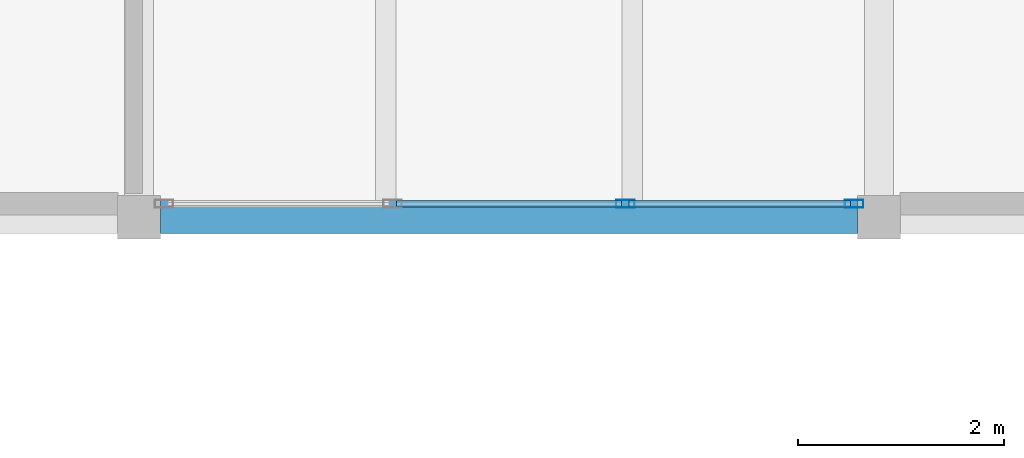
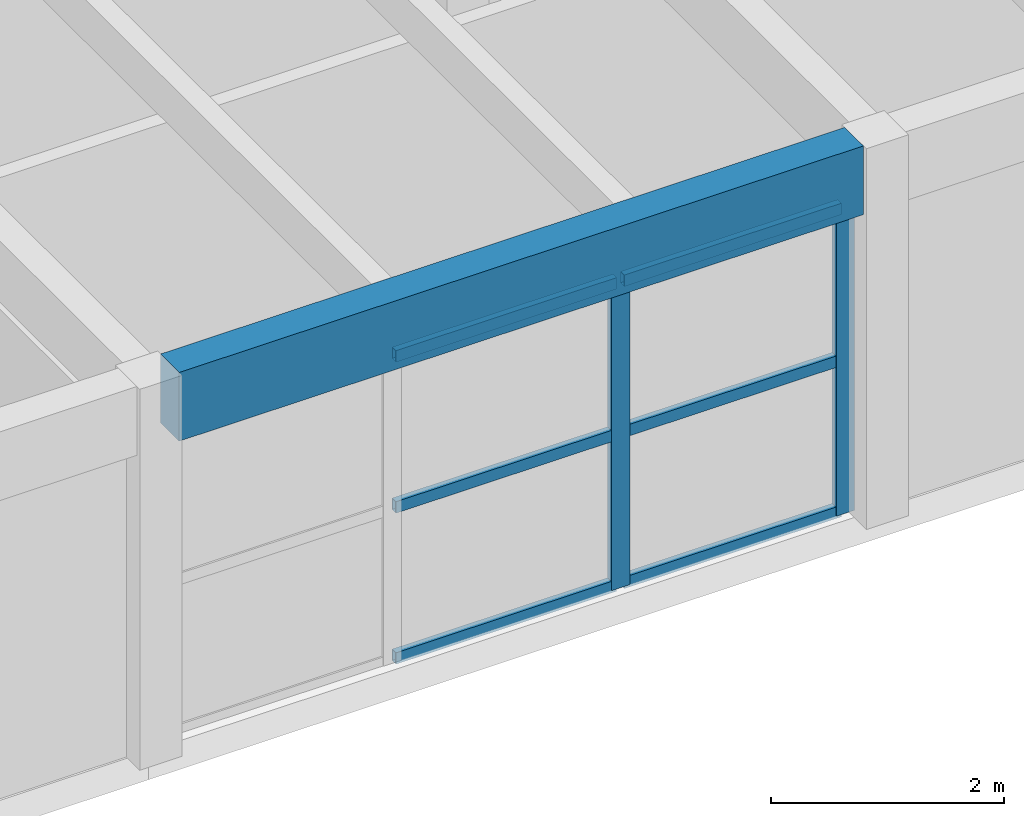
# One storey, part 39 of 68: 8 members, 1 beam, 1 element without a shape of its own.
"""IFC4 building model written with IfcOpenShell, lengths in metres."""

from ifc_helpers import new_model, si_unit, direction, frame, origin, origin_2d, place, context, subcontext, project, spatial, rectangle, hollow_rectangle, extrude, material, material_profile, profile_set, type_object, element, aggregate, save


model = new_model("IFC4")

# Units and contexts
model_context = context("Model", 3, precision=1e-05, world=origin(), true_north=direction((0.0, 1.0)))
body_context = subcontext(model_context, "Body", "Model", "MODEL_VIEW")
ifc_project = project(units=[si_unit("LENGTHUNIT", "METRE"), si_unit("AREAUNIT", "SQUARE_METRE"), si_unit("VOLUMEUNIT", "CUBIC_METRE"), si_unit("PLANEANGLEUNIT", "RADIAN"), si_unit("MASSUNIT", "GRAM", prefix="KILO")], contexts=[model_context])

# Site, building, storey
site_placement = place(None, origin())
site = spatial("IfcSite", under=ifc_project, at=site_placement, CompositionType="ELEMENT")
building_placement = place(site_placement, origin())
building = spatial("IfcBuilding", under=site, at=building_placement, Name="Bramvelor Terrace Health Centre", CompositionType="ELEMENT")
storey_placement = place(building_placement, frame((0.0, 0.0, 9.300048828125)))
storey = spatial("IfcBuildingStorey", under=building, at=storey_placement, Name="L03", CompositionType="ELEMENT", Elevation=9.300048828125)

# Beam
ifc_material_1 = material(Name="Glulam GL28h", Category="wood")
ifc_material_profile_1 = material_profile(ifc_material_1, rectangle(XDim=0.320068359375, YDim=0.719970703125, at=origin_2d()), Name="GL 320x720")
ifc_profile_set_1 = profile_set([ifc_material_profile_1], Name="Glulam GL28h")
beam_type = type_object("IfcBeamType", Name="BM-GL-G720", PredefinedType="BEAM", material=ifc_profile_set_1)
beam_placement = place(storey_placement, frame((137.010009765625, 50.39990234375, 3.6298828125), z_axis=(1.0, 0.0, 0.0), x_axis=(0.0, 1.0, 0.0)))
element("IfcBeam", 1, at=beam_placement, inside=storey, type_object=beam_type, Name="L03 Floor Girder", PredefinedType="BEAM", context=body_context, shape_type="SweptSolid", body=[
    extrude(rectangle(XDim=0.320068359375, YDim=0.719970703125, at=origin_2d()), origin(), (0.0, 0.0, 1.0), 6.780029296875),
])

# Curtain wall, members
ifc_material_2 = material(Name="Anodized aluminium and double low-E glass", Category="aluminium")
curtain_wall_type = type_object("IfcCurtainWallType", Name="CW-SYS-27", PredefinedType="NOTDEFINED", material=ifc_material_2)
curtain_wall_placement = place(storey_placement, origin())
curtain_wall = element("IfcCurtainWall", 2, at=curtain_wall_placement, inside=storey, type_object=curtain_wall_type, Name="L03 Unitized Curtain Wall 170", PredefinedType="NOTDEFINED")
ifc_material_3 = material(Name="Anodized aluminium 6063-T6", Category="aluminium")
ifc_material_profile_2 = material_profile(ifc_material_3, hollow_rectangle(XDim=0.074951171875, YDim=0.179931640625, WallThickness=0.00341796875, at=origin_2d()), Name="ALU-MUL 75x180x3.5")
ifc_profile_set_2 = profile_set([ifc_material_profile_2], Name="Anodized aluminium 6063-T6")
member_type_1 = type_object("IfcMemberType", Name="CW-MUL-65x180", PredefinedType="MULLION", material=ifc_profile_set_2)
member_1_placement = place(storey_placement, frame((143.757568359375, 50.530029296875, 0.0), z_axis=(0.0, 0.0, 1.0), x_axis=(0.0, -1.0, 0.0)))
member_1 = element("IfcMember", 3, at=member_1_placement, type_object=member_type_1, Name="CW-27 mullion 1", PredefinedType="MULLION", context=body_context, shape_type="SweptSolid", body=[
    extrude(hollow_rectangle(XDim=0.074951171875, YDim=0.179931640625, WallThickness=0.00341796875, at=origin_2d()), origin(), (0.0, 0.0, 1.0), 3.22998046875),
])
member_2_placement = place(storey_placement, frame((141.53173828125, 50.530029296875, 0.0), z_axis=(0.0, 0.0, 1.0), x_axis=(0.0, -1.0, 0.0)))
member_2 = element("IfcMember", 4, at=member_2_placement, type_object=member_type_1, Name="CW-27 mullion 2", PredefinedType="MULLION", context=body_context, shape_type="SweptSolid", body=[
    extrude(hollow_rectangle(XDim=0.074951171875, YDim=0.179931640625, WallThickness=0.00341796875, at=origin_2d()), origin(), (0.0, 0.0, 1.0), 3.22998046875),
])
ifc_material_4 = material(Name="Anodized aluminium 6063-T6", Category="aluminium")
ifc_material_profile_3 = material_profile(ifc_material_4, hollow_rectangle(XDim=0.06494140625, YDim=0.1201171875, WallThickness=0.0029296875, at=origin_2d()), Name="ALU-TRN 65x120x3.0")
ifc_profile_set_3 = profile_set([ifc_material_profile_3], Name="Anodized aluminium 6063-T6")
member_type_2 = type_object("IfcMemberType", Name="CW-TRN-65x150", PredefinedType="USERDEFINED", material=ifc_profile_set_3)
member_3_placement = place(storey_placement, frame((143.719970703125, 50.530029296875, 0.032470703125), z_axis=(-1.0, 0.0, 0.0), x_axis=(0.0, -1.0, 0.0)))
member_3 = element("IfcMember", 5, at=member_3_placement, type_object=member_type_2, Name="CW-27 transom 1.1", ObjectType="TRANSOM", PredefinedType="USERDEFINED", context=body_context, shape_type="SweptSolid", body=[
    extrude(hollow_rectangle(XDim=0.06494140625, YDim=0.1201171875, WallThickness=0.0029296875, at=origin_2d()), origin(), (0.0, 0.0, 1.0), 2.15087890625),
])
member_4_placement = place(storey_placement, frame((143.719970703125, 50.530029296875, 1.614990234375), z_axis=(-1.0, 0.0, 0.0), x_axis=(0.0, -1.0, 0.0)))
member_4 = element("IfcMember", 6, at=member_4_placement, type_object=member_type_2, Name="CW-27 transom 1.2", ObjectType="TRANSOM", PredefinedType="USERDEFINED", context=body_context, shape_type="SweptSolid", body=[
    extrude(hollow_rectangle(XDim=0.06494140625, YDim=0.1201171875, WallThickness=0.0029296875, at=origin_2d()), origin(), (0.0, 0.0, 1.0), 2.15087890625),
])
member_5_placement = place(storey_placement, frame((143.719970703125, 50.530029296875, 3.197509765625), z_axis=(-1.0, 0.0, 0.0), x_axis=(0.0, -1.0, 0.0)))
member_5 = element("IfcMember", 7, at=member_5_placement, type_object=member_type_2, Name="CW-27 transom 1.3", ObjectType="TRANSOM", PredefinedType="USERDEFINED", context=body_context, shape_type="SweptSolid", body=[
    extrude(hollow_rectangle(XDim=0.06494140625, YDim=0.1201171875, WallThickness=0.0029296875, at=origin_2d()), origin(), (0.0, 0.0, 1.0), 2.15087890625),
])
member_6_placement = place(storey_placement, frame((141.494140625, 50.530029296875, 0.032470703125), z_axis=(-1.0, 0.0, 0.0), x_axis=(0.0, -1.0, 0.0)))
member_6 = element("IfcMember", 8, at=member_6_placement, type_object=member_type_2, Name="CW-27 transom 2.1", ObjectType="TRANSOM", PredefinedType="USERDEFINED", context=body_context, shape_type="SweptSolid", body=[
    extrude(hollow_rectangle(XDim=0.06494140625, YDim=0.1201171875, WallThickness=0.0029296875, at=origin_2d()), origin(), (0.0, 0.0, 1.0), 2.188232421875),
])
member_7_placement = place(storey_placement, frame((141.494140625, 50.530029296875, 1.614990234375), z_axis=(-1.0, 0.0, 0.0), x_axis=(0.0, -1.0, 0.0)))
member_7 = element("IfcMember", 9, at=member_7_placement, type_object=member_type_2, Name="CW-27 transom 2.2", ObjectType="TRANSOM", PredefinedType="USERDEFINED", context=body_context, shape_type="SweptSolid", body=[
    extrude(hollow_rectangle(XDim=0.06494140625, YDim=0.1201171875, WallThickness=0.0029296875, at=origin_2d()), origin(), (0.0, 0.0, 1.0), 2.188232421875),
])
member_8_placement = place(storey_placement, frame((141.494140625, 50.530029296875, 3.197509765625), z_axis=(-1.0, 0.0, 0.0), x_axis=(0.0, -1.0, 0.0)))
member_8 = element("IfcMember", 10, at=member_8_placement, type_object=member_type_2, Name="CW-27 transom 2.3", ObjectType="TRANSOM", PredefinedType="USERDEFINED", context=body_context, shape_type="SweptSolid", body=[
    extrude(hollow_rectangle(XDim=0.06494140625, YDim=0.1201171875, WallThickness=0.0029296875, at=origin_2d()), origin(), (0.0, 0.0, 1.0), 2.188232421875),
])
aggregate(curtain_wall, [member_1, member_2, member_3, member_4, member_5, member_6, member_7, member_8])

save(model, "model.ifc")
